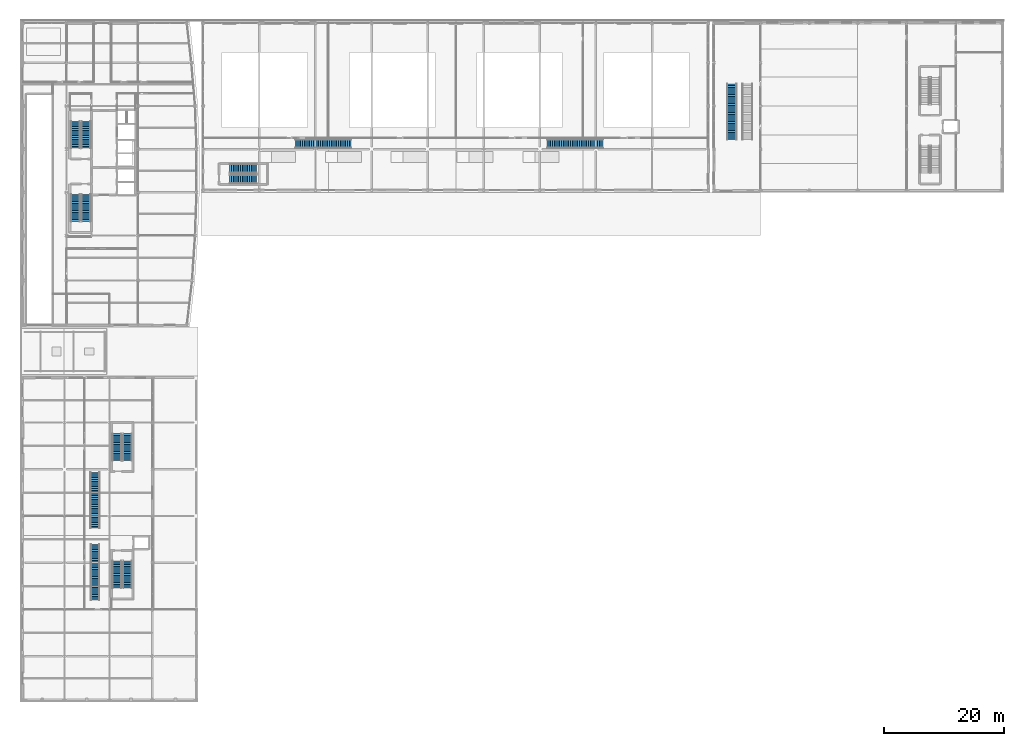
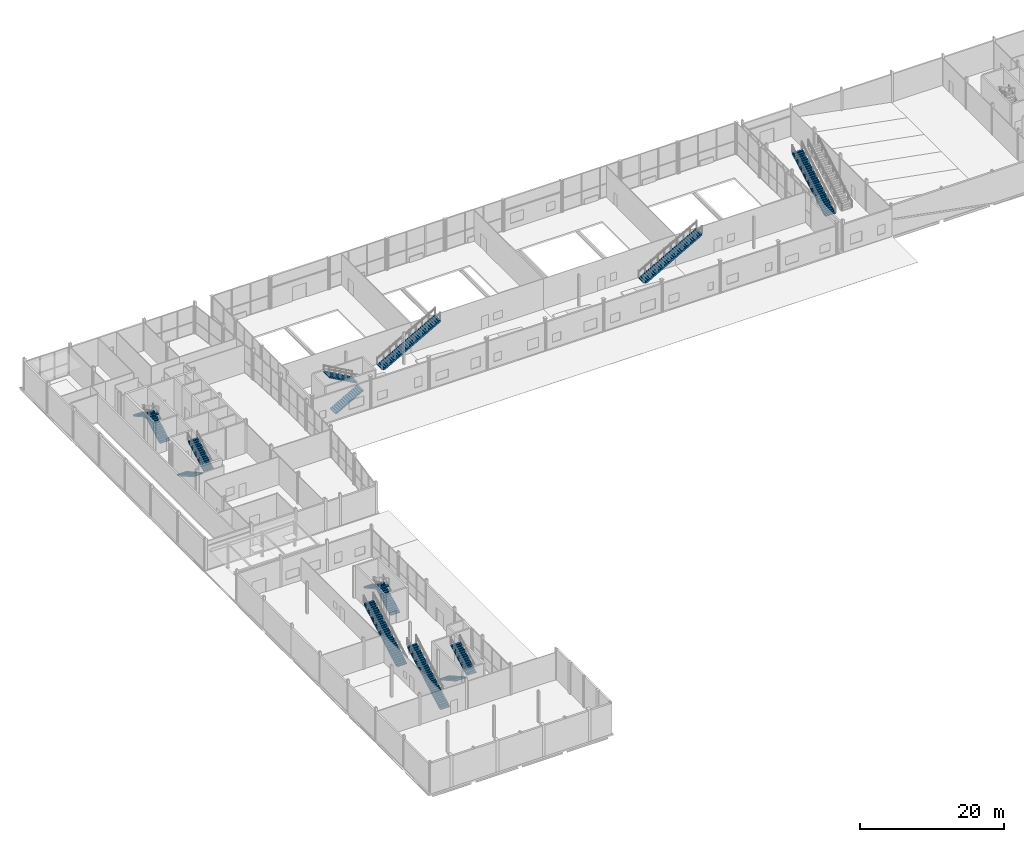
# One storey, part 73 of 83: 15 stair flights, 10 elements without a shape of their own.
"""IFC4 building model written with IfcOpenShell, lengths in metres."""

from ifc_helpers import new_model, si_unit, direction, frame, origin, place, context, subcontext, project, spatial, polyline, outline, extrude, material, type_object, element, aggregate, save


model = new_model("IFC4")

# Units and contexts
model_context = context("Model", 3, precision=1e-05, world=origin(), true_north=direction((0.0, 1.0)))
body_context = subcontext(model_context, "Body", "Model", "MODEL_VIEW")
ifc_project = project(units=[si_unit("LENGTHUNIT", "METRE"), si_unit("AREAUNIT", "SQUARE_METRE"), si_unit("VOLUMEUNIT", "CUBIC_METRE"), si_unit("PLANEANGLEUNIT", "RADIAN"), si_unit("MASSUNIT", "GRAM", prefix="KILO")], contexts=[model_context])

# Site, building, storey
site_placement = place(None, origin())
site = spatial("IfcSite", under=ifc_project, at=site_placement, CompositionType="ELEMENT")
building_placement = place(site_placement, origin())
building = spatial("IfcBuilding", under=site, at=building_placement, Name="Quillay Park Conservatory", CompositionType="ELEMENT")
storey_placement = place(building_placement, origin())
storey = spatial("IfcBuildingStorey", under=building, at=storey_placement, Name="L00", CompositionType="ELEMENT", Elevation=0.0)

# Stair, stair flight
ifc_material_1 = material(Name="Steel ASTM A992 Grade 50", Category="steel")
stair_type_1 = type_object("IfcStairType", Name="STRAIGHT FEATURE STAIR 01", PredefinedType="STRAIGHT_RUN_STAIR", material=ifc_material_1)
stair_1_placement = place(storey_placement, origin())
stair_1 = element("IfcStair", 1, at=stair_1_placement, inside=storey, type_object=stair_type_1, Name="L00 Feature Straight Stair 01", PredefinedType="STRAIGHT_RUN_STAIR")
ifc_material_2 = material(Name="Steel ASTM A992 Grade 50", Category="steel")
stair_flight_type_1 = type_object("IfcStairFlightType", Name="STRAIGHT FEATURE FLIGHT 01", PredefinedType="STRAIGHT", material=ifc_material_2)
stair_flight_1_placement = place(storey_placement, frame((46.0, 93.300048828125, 0.0), z_axis=(0.0, 0.0, 1.0), x_axis=(1.0, 0.0, 0.0)))
stair_flight_1 = element("IfcStairFlight", 2, at=stair_flight_1_placement, type_object=stair_flight_type_1, Name="ST-FT01 flight 1", NumberOfRisers=32, NumberOfTreads=31, PredefinedType="STRAIGHT", RiserHeight=0.16875, TreadLength=0.3, context=body_context, shape_type="SweptSolid", body=[
    extrude(outline(polyline([(0.0, 0.0), (0.0, 0.168701171875), (0.300048828125, 0.168701171875), (0.300048828125, 0.33740234375), (0.60009765625, 0.33740234375), (0.60009765625, 0.50634765625), (0.89990234375, 0.50634765625), (0.89990234375, 0.675048828125), (1.199951171875, 0.675048828125), (1.199951171875, 0.84375), (1.5, 0.84375), (1.5, 1.012451171875), (1.800048828125, 1.012451171875), (1.800048828125, 1.18115234375), (2.10009765625, 1.18115234375), (2.10009765625, 1.35009765625), (2.39990234375, 1.35009765625), (2.39990234375, 1.518798828125), (2.699951171875, 1.518798828125), (2.699951171875, 1.6875), (3.0, 1.6875), (3.0, 1.856201171875), (3.300048828125, 1.856201171875), (3.300048828125, 2.02490234375), (3.60009765625, 2.02490234375), (3.60009765625, 2.19384765625), (3.89990234375, 2.19384765625), (3.89990234375, 2.362548828125), (4.199951171875, 2.362548828125), (4.199951171875, 2.53125), (4.5, 2.53125), (4.5, 2.699951171875), (4.800048828125, 2.699951171875), (4.800048828125, 2.86865234375), (5.10009765625, 2.86865234375), (5.10009765625, 3.03759765625), (5.39990234375, 3.03759765625), (5.39990234375, 3.206298828125), (5.699951171875, 3.206298828125), (5.699951171875, 3.375), (6.0, 3.375), (6.0, 3.543701171875), (6.300048828125, 3.543701171875), (6.300048828125, 3.71240234375), (6.60009765625, 3.71240234375), (6.60009765625, 3.88134765625), (6.89990234375, 3.88134765625), (6.89990234375, 4.050048828125), (7.199951171875, 4.050048828125), (7.199951171875, 4.21875), (7.5, 4.21875), (7.5, 4.387451171875), (7.800048828125, 4.387451171875), (7.800048828125, 4.55615234375), (8.10009765625, 4.55615234375), (8.10009765625, 4.72509765625), (8.39990234375, 4.72509765625), (8.39990234375, 4.893798828125), (8.699951171875, 4.893798828125), (8.699951171875, 5.0625), (9.0, 5.0625), (9.0, 5.231201171875), (9.300048828125, 5.231201171875), (9.300048828125, 5.39990234375), (9.300048828125, 4.955810546875), (0.489501953125, 0.0), (0.0, 0.0)])), frame((0.0, 0.75, 0.0), z_axis=(0.0, -1.0, 0.0), x_axis=(1.0, 0.0, 0.0)), (0.0, 0.0, 1.0), 1.5),
])
aggregate(stair_1, [stair_flight_1])

ifc_material_3 = material(Name="Steel ASTM A992 Grade 50", Category="steel")
stair_type_2 = type_object("IfcStairType", Name="STRAIGHT FEATURE STAIR 02", PredefinedType="STRAIGHT_RUN_STAIR", material=ifc_material_3)
stair_2_placement = place(storey_placement, origin())
stair_2 = element("IfcStair", 3, at=stair_2_placement, inside=storey, type_object=stair_type_2, Name="L00 Feature Straight Stair 02", PredefinedType="STRAIGHT_RUN_STAIR")
ifc_material_4 = material(Name="Steel ASTM A992 Grade 50", Category="steel")
stair_flight_type_2 = type_object("IfcStairFlightType", Name="STRAIGHT FEATURE FLIGHT 02", PredefinedType="STRAIGHT", material=ifc_material_4)
stair_flight_2_placement = place(storey_placement, frame((88.0, 93.300048828125, 0.0), z_axis=(0.0, 0.0, 1.0), x_axis=(1.0, 0.0, 0.0)))
stair_flight_2 = element("IfcStairFlight", 4, at=stair_flight_2_placement, type_object=stair_flight_type_2, Name="ST-FT02 flight 1", NumberOfRisers=32, NumberOfTreads=31, PredefinedType="STRAIGHT", RiserHeight=0.16875, TreadLength=0.3, context=body_context, shape_type="SweptSolid", body=[
    extrude(outline(polyline([(0.0, 0.0), (0.0, 0.168701171875), (0.300048828125, 0.168701171875), (0.300048828125, 0.33740234375), (0.60009765625, 0.33740234375), (0.60009765625, 0.50634765625), (0.89990234375, 0.50634765625), (0.89990234375, 0.675048828125), (1.199951171875, 0.675048828125), (1.199951171875, 0.84375), (1.5, 0.84375), (1.5, 1.012451171875), (1.800048828125, 1.012451171875), (1.800048828125, 1.18115234375), (2.10009765625, 1.18115234375), (2.10009765625, 1.35009765625), (2.39990234375, 1.35009765625), (2.39990234375, 1.518798828125), (2.699951171875, 1.518798828125), (2.699951171875, 1.6875), (3.0, 1.6875), (3.0, 1.856201171875), (3.300048828125, 1.856201171875), (3.300048828125, 2.02490234375), (3.60009765625, 2.02490234375), (3.60009765625, 2.19384765625), (3.89990234375, 2.19384765625), (3.89990234375, 2.362548828125), (4.199951171875, 2.362548828125), (4.199951171875, 2.53125), (4.5, 2.53125), (4.5, 2.699951171875), (4.800048828125, 2.699951171875), (4.800048828125, 2.86865234375), (5.10009765625, 2.86865234375), (5.10009765625, 3.03759765625), (5.39990234375, 3.03759765625), (5.39990234375, 3.206298828125), (5.699951171875, 3.206298828125), (5.699951171875, 3.375), (6.0, 3.375), (6.0, 3.543701171875), (6.300048828125, 3.543701171875), (6.300048828125, 3.71240234375), (6.60009765625, 3.71240234375), (6.60009765625, 3.88134765625), (6.89990234375, 3.88134765625), (6.89990234375, 4.050048828125), (7.199951171875, 4.050048828125), (7.199951171875, 4.21875), (7.5, 4.21875), (7.5, 4.387451171875), (7.800048828125, 4.387451171875), (7.800048828125, 4.55615234375), (8.10009765625, 4.55615234375), (8.10009765625, 4.72509765625), (8.39990234375, 4.72509765625), (8.39990234375, 4.893798828125), (8.699951171875, 4.893798828125), (8.699951171875, 5.0625), (9.0, 5.0625), (9.0, 5.231201171875), (9.300048828125, 5.231201171875), (9.300048828125, 5.39990234375), (9.300048828125, 4.955810546875), (0.489501953125, 0.0), (0.0, 0.0)])), frame((0.0, 0.77490234375, 0.0), z_axis=(0.0, -1.0, 0.0), x_axis=(1.0, 0.0, 0.0)), (0.0, 0.0, 1.0), 1.550048828125),
])
aggregate(stair_2, [stair_flight_2])

ifc_material_5 = material(Name="Steel ASTM A992 Grade 50", Category="steel")
stair_type_3 = type_object("IfcStairType", Name="STRAIGHT FEATURE STAIR 03", PredefinedType="STRAIGHT_RUN_STAIR", material=ifc_material_5)
stair_3_placement = place(storey_placement, origin())
stair_3 = element("IfcStair", 5, at=stair_3_placement, inside=storey, type_object=stair_type_3, Name="L00 Feature Straight Stair 03", PredefinedType="STRAIGHT_RUN_STAIR")
ifc_material_6 = material(Name="Steel ASTM A992 Grade 50", Category="steel")
stair_flight_type_3 = type_object("IfcStairFlightType", Name="STRAIGHT FEATURE FLIGHT 03", PredefinedType="STRAIGHT", material=ifc_material_6)
stair_flight_3_placement = place(storey_placement, frame((12.60009765625, 17.199951171875, 0.0), z_axis=(0.0, 0.0, 1.0), x_axis=(0.0, 1.0, 0.0)))
stair_flight_3 = element("IfcStairFlight", 6, at=stair_flight_3_placement, type_object=stair_flight_type_3, Name="ST-FT03 flight 1", NumberOfRisers=32, NumberOfTreads=31, PredefinedType="STRAIGHT", RiserHeight=0.16875, TreadLength=0.3, context=body_context, shape_type="SweptSolid", body=[
    extrude(outline(polyline([(0.0, 0.0), (0.0, 0.168701171875), (0.300048828125, 0.168701171875), (0.300048828125, 0.33740234375), (0.60009765625, 0.33740234375), (0.60009765625, 0.50634765625), (0.89990234375, 0.50634765625), (0.89990234375, 0.675048828125), (1.199951171875, 0.675048828125), (1.199951171875, 0.84375), (1.5, 0.84375), (1.5, 1.012451171875), (1.800048828125, 1.012451171875), (1.800048828125, 1.18115234375), (2.10009765625, 1.18115234375), (2.10009765625, 1.35009765625), (2.39990234375, 1.35009765625), (2.39990234375, 1.518798828125), (2.699951171875, 1.518798828125), (2.699951171875, 1.6875), (3.0, 1.6875), (3.0, 1.856201171875), (3.300048828125, 1.856201171875), (3.300048828125, 2.02490234375), (3.60009765625, 2.02490234375), (3.60009765625, 2.19384765625), (3.89990234375, 2.19384765625), (3.89990234375, 2.362548828125), (4.199951171875, 2.362548828125), (4.199951171875, 2.53125), (4.5, 2.53125), (4.5, 2.699951171875), (4.800048828125, 2.699951171875), (4.800048828125, 2.86865234375), (5.10009765625, 2.86865234375), (5.10009765625, 3.03759765625), (5.39990234375, 3.03759765625), (5.39990234375, 3.206298828125), (5.699951171875, 3.206298828125), (5.699951171875, 3.375), (6.0, 3.375), (6.0, 3.543701171875), (6.300048828125, 3.543701171875), (6.300048828125, 3.71240234375), (6.60009765625, 3.71240234375), (6.60009765625, 3.88134765625), (6.89990234375, 3.88134765625), (6.89990234375, 4.050048828125), (7.199951171875, 4.050048828125), (7.199951171875, 4.21875), (7.5, 4.21875), (7.5, 4.387451171875), (7.800048828125, 4.387451171875), (7.800048828125, 4.55615234375), (8.10009765625, 4.55615234375), (8.10009765625, 4.72509765625), (8.39990234375, 4.72509765625), (8.39990234375, 4.893798828125), (8.699951171875, 4.893798828125), (8.699951171875, 5.0625), (9.0, 5.0625), (9.0, 5.231201171875), (9.300048828125, 5.231201171875), (9.300048828125, 5.39990234375), (9.300048828125, 4.955810546875), (0.489501953125, 0.0), (0.0, 0.0)])), frame((0.0, 0.75, 0.0), z_axis=(0.0, -1.0, 0.0), x_axis=(1.0, 0.0, 0.0)), (0.0, 0.0, 1.0), 1.5),
])
aggregate(stair_3, [stair_flight_3])

ifc_material_7 = material(Name="Steel ASTM A992 Grade 50", Category="steel")
stair_type_4 = type_object("IfcStairType", Name="STRAIGHT FEATURE STAIR 04", PredefinedType="STRAIGHT_RUN_STAIR", material=ifc_material_7)
stair_4_placement = place(storey_placement, origin())
stair_4 = element("IfcStair", 7, at=stair_4_placement, inside=storey, type_object=stair_type_4, Name="L00 Feature Straight Stair 04", PredefinedType="STRAIGHT_RUN_STAIR")
ifc_material_8 = material(Name="Steel ASTM A992 Grade 50", Category="steel")
stair_flight_type_4 = type_object("IfcStairFlightType", Name="STRAIGHT FEATURE FLIGHT 04", PredefinedType="STRAIGHT", material=ifc_material_8)
stair_flight_4_placement = place(storey_placement, frame((12.60009765625, 29.199951171875, 0.0), z_axis=(0.0, 0.0, 1.0), x_axis=(0.0, 1.0, 0.0)))
stair_flight_4 = element("IfcStairFlight", 8, at=stair_flight_4_placement, type_object=stair_flight_type_4, Name="ST-FT04 flight 1", NumberOfRisers=32, NumberOfTreads=31, PredefinedType="STRAIGHT", RiserHeight=0.16875, TreadLength=0.3, context=body_context, shape_type="SweptSolid", body=[
    extrude(outline(polyline([(0.0, 0.0), (0.0, 0.168701171875), (0.300048828125, 0.168701171875), (0.300048828125, 0.33740234375), (0.60009765625, 0.33740234375), (0.60009765625, 0.50634765625), (0.89990234375, 0.50634765625), (0.89990234375, 0.675048828125), (1.199951171875, 0.675048828125), (1.199951171875, 0.84375), (1.5, 0.84375), (1.5, 1.012451171875), (1.800048828125, 1.012451171875), (1.800048828125, 1.18115234375), (2.10009765625, 1.18115234375), (2.10009765625, 1.35009765625), (2.39990234375, 1.35009765625), (2.39990234375, 1.518798828125), (2.699951171875, 1.518798828125), (2.699951171875, 1.6875), (3.0, 1.6875), (3.0, 1.856201171875), (3.300048828125, 1.856201171875), (3.300048828125, 2.02490234375), (3.60009765625, 2.02490234375), (3.60009765625, 2.19384765625), (3.89990234375, 2.19384765625), (3.89990234375, 2.362548828125), (4.199951171875, 2.362548828125), (4.199951171875, 2.53125), (4.5, 2.53125), (4.5, 2.699951171875), (4.800048828125, 2.699951171875), (4.800048828125, 2.86865234375), (5.10009765625, 2.86865234375), (5.10009765625, 3.03759765625), (5.39990234375, 3.03759765625), (5.39990234375, 3.206298828125), (5.699951171875, 3.206298828125), (5.699951171875, 3.375), (6.0, 3.375), (6.0, 3.543701171875), (6.300048828125, 3.543701171875), (6.300048828125, 3.71240234375), (6.60009765625, 3.71240234375), (6.60009765625, 3.88134765625), (6.89990234375, 3.88134765625), (6.89990234375, 4.050048828125), (7.199951171875, 4.050048828125), (7.199951171875, 4.21875), (7.5, 4.21875), (7.5, 4.387451171875), (7.800048828125, 4.387451171875), (7.800048828125, 4.55615234375), (8.10009765625, 4.55615234375), (8.10009765625, 4.72509765625), (8.39990234375, 4.72509765625), (8.39990234375, 4.893798828125), (8.699951171875, 4.893798828125), (8.699951171875, 5.0625), (9.0, 5.0625), (9.0, 5.231201171875), (9.300048828125, 5.231201171875), (9.300048828125, 5.39990234375), (9.300048828125, 4.955810546875), (0.489501953125, 0.0), (0.0, 0.0)])), frame((0.0, 0.800048828125, 0.0), z_axis=(0.0, -1.0, 0.0), x_axis=(1.0, 0.0, 0.0)), (0.0, 0.0, 1.0), 1.60009765625),
])
aggregate(stair_4, [stair_flight_4])

ifc_material_9 = material(Name="Steel ASTM A992 Grade 50", Category="steel")
stair_type_5 = type_object("IfcStairType", Name="STRAIGHT FEATURE STAIR 05", PredefinedType="STRAIGHT_RUN_STAIR", material=ifc_material_9)
stair_5_placement = place(storey_placement, origin())
stair_5 = element("IfcStair", 9, at=stair_5_placement, inside=storey, type_object=stair_type_5, Name="L00 Feature Straight Stair 05", PredefinedType="STRAIGHT_RUN_STAIR")
ifc_material_10 = material(Name="Steel ASTM A992 Grade 50", Category="steel")
stair_flight_type_5 = type_object("IfcStairFlightType", Name="STRAIGHT FEATURE FLIGHT 05", PredefinedType="STRAIGHT", material=ifc_material_10)
stair_flight_5_placement = place(storey_placement, frame((118.800048828125, 94.0, 0.0), z_axis=(0.0, 0.0, 1.0), x_axis=(0.0, 1.0, 0.0)))
stair_flight_5 = element("IfcStairFlight", 10, at=stair_flight_5_placement, type_object=stair_flight_type_5, Name="ST-FT05 flight 1", NumberOfRisers=32, NumberOfTreads=31, PredefinedType="STRAIGHT", RiserHeight=0.16875, TreadLength=0.3, context=body_context, shape_type="SweptSolid", body=[
    extrude(outline(polyline([(0.0, 0.0), (0.0, 0.168701171875), (0.300048828125, 0.168701171875), (0.300048828125, 0.33740234375), (0.60009765625, 0.33740234375), (0.60009765625, 0.50634765625), (0.89990234375, 0.50634765625), (0.89990234375, 0.675048828125), (1.199951171875, 0.675048828125), (1.199951171875, 0.84375), (1.5, 0.84375), (1.5, 1.012451171875), (1.800048828125, 1.012451171875), (1.800048828125, 1.18115234375), (2.10009765625, 1.18115234375), (2.10009765625, 1.35009765625), (2.39990234375, 1.35009765625), (2.39990234375, 1.518798828125), (2.699951171875, 1.518798828125), (2.699951171875, 1.6875), (3.0, 1.6875), (3.0, 1.856201171875), (3.300048828125, 1.856201171875), (3.300048828125, 2.02490234375), (3.60009765625, 2.02490234375), (3.60009765625, 2.19384765625), (3.89990234375, 2.19384765625), (3.89990234375, 2.362548828125), (4.199951171875, 2.362548828125), (4.199951171875, 2.53125), (4.5, 2.53125), (4.5, 2.699951171875), (4.800048828125, 2.699951171875), (4.800048828125, 2.86865234375), (5.10009765625, 2.86865234375), (5.10009765625, 3.03759765625), (5.39990234375, 3.03759765625), (5.39990234375, 3.206298828125), (5.699951171875, 3.206298828125), (5.699951171875, 3.375), (6.0, 3.375), (6.0, 3.543701171875), (6.300048828125, 3.543701171875), (6.300048828125, 3.71240234375), (6.60009765625, 3.71240234375), (6.60009765625, 3.88134765625), (6.89990234375, 3.88134765625), (6.89990234375, 4.050048828125), (7.199951171875, 4.050048828125), (7.199951171875, 4.21875), (7.5, 4.21875), (7.5, 4.387451171875), (7.800048828125, 4.387451171875), (7.800048828125, 4.55615234375), (8.10009765625, 4.55615234375), (8.10009765625, 4.72509765625), (8.39990234375, 4.72509765625), (8.39990234375, 4.893798828125), (8.699951171875, 4.893798828125), (8.699951171875, 5.0625), (9.0, 5.0625), (9.0, 5.231201171875), (9.300048828125, 5.231201171875), (9.300048828125, 5.39990234375), (9.300048828125, 4.955810546875), (0.489501953125, 0.0), (0.0, 0.0)])), frame((0.0, 0.824951171875, 0.0), z_axis=(0.0, -1.0, 0.0), x_axis=(1.0, 0.0, 0.0)), (0.0, 0.0, 1.0), 1.64990234375),
])
aggregate(stair_5, [stair_flight_5])

# Stair, stair flights
ifc_material_11 = material(Name="Concrete C35/45 (NCh170 Concrete C35/45)", Category="concrete")
stair_type_6 = type_object("IfcStairType", Name="ENCLOSED DOG LEG STAIR 5400", PredefinedType="HALF_TURN_STAIR", material=ifc_material_11)
stair_6_placement = place(storey_placement, origin())
stair_6 = element("IfcStair", 11, at=stair_6_placement, inside=storey, type_object=stair_type_6, Name="L00 Tower Protected Exit Stair 1", PredefinedType="HALF_TURN_STAIR")
ifc_material_12 = material(Name="Concrete C35/45 (NCh170 Concrete C35/45)", Category="concrete")
stair_flight_type_6 = type_object("IfcStairFlightType", Name="STRAIGHT STAIR FLIGHT 5400", PredefinedType="STRAIGHT", material=ifc_material_12)
stair_flight_6_placement = place(storey_placement, frame((11.090087890625, 92.550048828125, 0.0), z_axis=(0.0, 0.0, 1.0), x_axis=(0.0, 1.0, 0.0)))
stair_flight_6 = element("IfcStairFlight", 12, at=stair_flight_6_placement, type_object=stair_flight_type_6, Name="ST-T1 flight 1", NumberOfRisers=16, NumberOfTreads=15, PredefinedType="STRAIGHT", RiserHeight=0.16875, TreadLength=0.3, context=body_context, shape_type="SweptSolid", body=[
    extrude(outline(polyline([(0.0, 0.0), (0.0, 0.168701171875), (0.300048828125, 0.168701171875), (0.300048828125, 0.33740234375), (0.60009765625, 0.33740234375), (0.60009765625, 0.50634765625), (0.89990234375, 0.50634765625), (0.89990234375, 0.675048828125), (1.199951171875, 0.675048828125), (1.199951171875, 0.84375), (1.5, 0.84375), (1.5, 1.012451171875), (1.800048828125, 1.012451171875), (1.800048828125, 1.18115234375), (2.10009765625, 1.18115234375), (2.10009765625, 1.35009765625), (2.39990234375, 1.35009765625), (2.39990234375, 1.518798828125), (2.699951171875, 1.518798828125), (2.699951171875, 1.6875), (3.0, 1.6875), (3.0, 1.856201171875), (3.300048828125, 1.856201171875), (3.300048828125, 2.02490234375), (3.60009765625, 2.02490234375), (3.60009765625, 2.19384765625), (3.89990234375, 2.19384765625), (3.89990234375, 2.362548828125), (4.199951171875, 2.362548828125), (4.199951171875, 2.53125), (4.5, 2.53125), (4.5, 2.699951171875), (4.5, 2.359375), (0.3056640625, 0.0), (0.0, 0.0)])), frame((0.0, 0.780029296875, 0.0), z_axis=(0.0, -1.0, 0.0), x_axis=(1.0, 0.0, 0.0)), (0.0, 0.0, 1.0), 1.56005859375),
])
stair_flight_7_placement = place(storey_placement, frame((9.330078125, 97.050048828125, 2.699951171875), z_axis=(0.0, 0.0, 1.0), x_axis=(0.0, -1.0, 0.0)))
stair_flight_7 = element("IfcStairFlight", 13, at=stair_flight_7_placement, type_object=stair_flight_type_6, Name="ST-T1 flight 2", NumberOfRisers=16, NumberOfTreads=15, PredefinedType="STRAIGHT", RiserHeight=0.16875, TreadLength=0.3, context=body_context, shape_type="SweptSolid", body=[
    extrude(outline(polyline([(0.0, 0.0), (0.0, 0.168701171875), (0.300048828125, 0.168701171875), (0.300048828125, 0.33740234375), (0.60009765625, 0.33740234375), (0.60009765625, 0.50634765625), (0.89990234375, 0.50634765625), (0.89990234375, 0.675048828125), (1.199951171875, 0.675048828125), (1.199951171875, 0.84375), (1.5, 0.84375), (1.5, 1.012451171875), (1.800048828125, 1.012451171875), (1.800048828125, 1.18115234375), (2.10009765625, 1.18115234375), (2.10009765625, 1.35009765625), (2.39990234375, 1.35009765625), (2.39990234375, 1.518798828125), (2.699951171875, 1.518798828125), (2.699951171875, 1.6875), (3.0, 1.6875), (3.0, 1.856201171875), (3.300048828125, 1.856201171875), (3.300048828125, 2.02490234375), (3.60009765625, 2.02490234375), (3.60009765625, 2.19384765625), (3.89990234375, 2.19384765625), (3.89990234375, 2.362548828125), (4.199951171875, 2.362548828125), (4.199951171875, 2.53125), (4.5, 2.53125), (4.5, 2.699951171875), (4.5, 2.359375), (0.3056640625, 0.0), (0.0, 0.0)])), frame((0.0, 0.780029296875, 0.0), z_axis=(0.0, -1.0, 0.0), x_axis=(1.0, 0.0, 0.0)), (0.0, 0.0, 1.0), 1.56005859375),
])
aggregate(stair_6, [stair_flight_6, stair_flight_7])

stair_7_placement = place(storey_placement, origin())
stair_7 = element("IfcStair", 14, at=stair_7_placement, inside=storey, type_object=stair_type_6, Name="L00 Tower Protected Exit Stair 2", PredefinedType="HALF_TURN_STAIR")
stair_flight_8_placement = place(storey_placement, frame((9.330078125, 84.85009765625, 0.0), z_axis=(0.0, 0.0, 1.0), x_axis=(0.0, -1.0, 0.0)))
stair_flight_8 = element("IfcStairFlight", 15, at=stair_flight_8_placement, type_object=stair_flight_type_6, Name="ST-T2 flight 1", NumberOfRisers=16, NumberOfTreads=15, PredefinedType="STRAIGHT", RiserHeight=0.16875, TreadLength=0.3, context=body_context, shape_type="SweptSolid", body=[
    extrude(outline(polyline([(0.0, 0.0), (0.0, 0.168701171875), (0.300048828125, 0.168701171875), (0.300048828125, 0.33740234375), (0.60009765625, 0.33740234375), (0.60009765625, 0.50634765625), (0.89990234375, 0.50634765625), (0.89990234375, 0.675048828125), (1.199951171875, 0.675048828125), (1.199951171875, 0.84375), (1.5, 0.84375), (1.5, 1.012451171875), (1.800048828125, 1.012451171875), (1.800048828125, 1.18115234375), (2.10009765625, 1.18115234375), (2.10009765625, 1.35009765625), (2.39990234375, 1.35009765625), (2.39990234375, 1.518798828125), (2.699951171875, 1.518798828125), (2.699951171875, 1.6875), (3.0, 1.6875), (3.0, 1.856201171875), (3.300048828125, 1.856201171875), (3.300048828125, 2.02490234375), (3.60009765625, 2.02490234375), (3.60009765625, 2.19384765625), (3.89990234375, 2.19384765625), (3.89990234375, 2.362548828125), (4.199951171875, 2.362548828125), (4.199951171875, 2.53125), (4.5, 2.53125), (4.5, 2.699951171875), (4.5, 2.359375), (0.3056640625, 0.0), (0.0, 0.0)])), frame((0.0, 0.780029296875, 0.0), z_axis=(0.0, -1.0, 0.0), x_axis=(1.0, 0.0, 0.0)), (0.0, 0.0, 1.0), 1.56005859375),
])
stair_flight_9_placement = place(storey_placement, frame((11.090087890625, 80.35009765625, 2.699951171875), z_axis=(0.0, 0.0, 1.0), x_axis=(0.0, 1.0, 0.0)))
stair_flight_9 = element("IfcStairFlight", 16, at=stair_flight_9_placement, type_object=stair_flight_type_6, Name="ST-T2 flight 2", NumberOfRisers=16, NumberOfTreads=15, PredefinedType="STRAIGHT", RiserHeight=0.16875, TreadLength=0.3, context=body_context, shape_type="SweptSolid", body=[
    extrude(outline(polyline([(0.0, 0.0), (0.0, 0.168701171875), (0.300048828125, 0.168701171875), (0.300048828125, 0.33740234375), (0.60009765625, 0.33740234375), (0.60009765625, 0.50634765625), (0.89990234375, 0.50634765625), (0.89990234375, 0.675048828125), (1.199951171875, 0.675048828125), (1.199951171875, 0.84375), (1.5, 0.84375), (1.5, 1.012451171875), (1.800048828125, 1.012451171875), (1.800048828125, 1.18115234375), (2.10009765625, 1.18115234375), (2.10009765625, 1.35009765625), (2.39990234375, 1.35009765625), (2.39990234375, 1.518798828125), (2.699951171875, 1.518798828125), (2.699951171875, 1.6875), (3.0, 1.6875), (3.0, 1.856201171875), (3.300048828125, 1.856201171875), (3.300048828125, 2.02490234375), (3.60009765625, 2.02490234375), (3.60009765625, 2.19384765625), (3.89990234375, 2.19384765625), (3.89990234375, 2.362548828125), (4.199951171875, 2.362548828125), (4.199951171875, 2.53125), (4.5, 2.53125), (4.5, 2.699951171875), (4.5, 2.359375), (0.3056640625, 0.0), (0.0, 0.0)])), frame((0.0, 0.780029296875, 0.0), z_axis=(0.0, -1.0, 0.0), x_axis=(1.0, 0.0, 0.0)), (0.0, 0.0, 1.0), 1.56005859375),
])
aggregate(stair_7, [stair_flight_8, stair_flight_9])

stair_8_placement = place(storey_placement, origin())
stair_8 = element("IfcStair", 17, at=stair_8_placement, inside=storey, type_object=stair_type_6, Name="L00 Visitor Centre Exit Stair 1", PredefinedType="HALF_TURN_STAIR")
stair_flight_10_placement = place(storey_placement, frame((16.22998046875, 23.699951171875, 0.0), z_axis=(0.0, 0.0, 1.0), x_axis=(0.0, -1.0, 0.0)))
stair_flight_10 = element("IfcStairFlight", 18, at=stair_flight_10_placement, type_object=stair_flight_type_6, Name="ST-V1 flight 1", NumberOfRisers=16, NumberOfTreads=15, PredefinedType="STRAIGHT", RiserHeight=0.16875, TreadLength=0.3, context=body_context, shape_type="SweptSolid", body=[
    extrude(outline(polyline([(0.0, 0.0), (0.0, 0.168701171875), (0.300048828125, 0.168701171875), (0.300048828125, 0.33740234375), (0.60009765625, 0.33740234375), (0.60009765625, 0.50634765625), (0.89990234375, 0.50634765625), (0.89990234375, 0.675048828125), (1.199951171875, 0.675048828125), (1.199951171875, 0.84375), (1.5, 0.84375), (1.5, 1.012451171875), (1.800048828125, 1.012451171875), (1.800048828125, 1.18115234375), (2.10009765625, 1.18115234375), (2.10009765625, 1.35009765625), (2.39990234375, 1.35009765625), (2.39990234375, 1.518798828125), (2.699951171875, 1.518798828125), (2.699951171875, 1.6875), (3.0, 1.6875), (3.0, 1.856201171875), (3.300048828125, 1.856201171875), (3.300048828125, 2.02490234375), (3.60009765625, 2.02490234375), (3.60009765625, 2.19384765625), (3.89990234375, 2.19384765625), (3.89990234375, 2.362548828125), (4.199951171875, 2.362548828125), (4.199951171875, 2.53125), (4.5, 2.53125), (4.5, 2.699951171875), (4.5, 2.359375), (0.3056640625, 0.0), (0.0, 0.0)])), frame((0.0, 0.780029296875, 0.0), z_axis=(0.0, -1.0, 0.0), x_axis=(1.0, 0.0, 0.0)), (0.0, 0.0, 1.0), 1.56005859375),
])
stair_flight_11_placement = place(storey_placement, frame((17.989990234375, 19.199951171875, 2.699951171875), z_axis=(0.0, 0.0, 1.0), x_axis=(0.0, 1.0, 0.0)))
stair_flight_11 = element("IfcStairFlight", 19, at=stair_flight_11_placement, type_object=stair_flight_type_6, Name="ST-V1 flight 2", NumberOfRisers=16, NumberOfTreads=15, PredefinedType="STRAIGHT", RiserHeight=0.16875, TreadLength=0.3, context=body_context, shape_type="SweptSolid", body=[
    extrude(outline(polyline([(0.0, 0.0), (0.0, 0.168701171875), (0.300048828125, 0.168701171875), (0.300048828125, 0.33740234375), (0.60009765625, 0.33740234375), (0.60009765625, 0.50634765625), (0.89990234375, 0.50634765625), (0.89990234375, 0.675048828125), (1.199951171875, 0.675048828125), (1.199951171875, 0.84375), (1.5, 0.84375), (1.5, 1.012451171875), (1.800048828125, 1.012451171875), (1.800048828125, 1.18115234375), (2.10009765625, 1.18115234375), (2.10009765625, 1.35009765625), (2.39990234375, 1.35009765625), (2.39990234375, 1.518798828125), (2.699951171875, 1.518798828125), (2.699951171875, 1.6875), (3.0, 1.6875), (3.0, 1.856201171875), (3.300048828125, 1.856201171875), (3.300048828125, 2.02490234375), (3.60009765625, 2.02490234375), (3.60009765625, 2.19384765625), (3.89990234375, 2.19384765625), (3.89990234375, 2.362548828125), (4.199951171875, 2.362548828125), (4.199951171875, 2.53125), (4.5, 2.53125), (4.5, 2.699951171875), (4.5, 2.359375), (0.3056640625, 0.0), (0.0, 0.0)])), frame((0.0, 0.780029296875, 0.0), z_axis=(0.0, -1.0, 0.0), x_axis=(1.0, 0.0, 0.0)), (0.0, 0.0, 1.0), 1.56005859375),
])
aggregate(stair_8, [stair_flight_10, stair_flight_11])

stair_9_placement = place(storey_placement, origin())
stair_9 = element("IfcStair", 20, at=stair_9_placement, inside=storey, type_object=stair_type_6, Name="L00 Visitor Centre Exit Stair 2", PredefinedType="HALF_TURN_STAIR")
stair_flight_12_placement = place(storey_placement, frame((17.989990234375, 40.449951171875, 0.0), z_axis=(0.0, 0.0, 1.0), x_axis=(0.0, 1.0, 0.0)))
stair_flight_12 = element("IfcStairFlight", 21, at=stair_flight_12_placement, type_object=stair_flight_type_6, Name="ST-V2 flight 1", NumberOfRisers=16, NumberOfTreads=15, PredefinedType="STRAIGHT", RiserHeight=0.16875, TreadLength=0.3, context=body_context, shape_type="SweptSolid", body=[
    extrude(outline(polyline([(0.0, 0.0), (0.0, 0.168701171875), (0.300048828125, 0.168701171875), (0.300048828125, 0.33740234375), (0.60009765625, 0.33740234375), (0.60009765625, 0.50634765625), (0.89990234375, 0.50634765625), (0.89990234375, 0.675048828125), (1.199951171875, 0.675048828125), (1.199951171875, 0.84375), (1.5, 0.84375), (1.5, 1.012451171875), (1.800048828125, 1.012451171875), (1.800048828125, 1.18115234375), (2.10009765625, 1.18115234375), (2.10009765625, 1.35009765625), (2.39990234375, 1.35009765625), (2.39990234375, 1.518798828125), (2.699951171875, 1.518798828125), (2.699951171875, 1.6875), (3.0, 1.6875), (3.0, 1.856201171875), (3.300048828125, 1.856201171875), (3.300048828125, 2.02490234375), (3.60009765625, 2.02490234375), (3.60009765625, 2.19384765625), (3.89990234375, 2.19384765625), (3.89990234375, 2.362548828125), (4.199951171875, 2.362548828125), (4.199951171875, 2.53125), (4.5, 2.53125), (4.5, 2.699951171875), (4.5, 2.359375), (0.3056640625, 0.0), (0.0, 0.0)])), frame((0.0, 0.780029296875, 0.0), z_axis=(0.0, -1.0, 0.0), x_axis=(1.0, 0.0, 0.0)), (0.0, 0.0, 1.0), 1.56005859375),
])
stair_flight_13_placement = place(storey_placement, frame((16.22998046875, 44.949951171875, 2.699951171875), z_axis=(0.0, 0.0, 1.0), x_axis=(0.0, -1.0, 0.0)))
stair_flight_13 = element("IfcStairFlight", 22, at=stair_flight_13_placement, type_object=stair_flight_type_6, Name="ST-V2 flight 2", NumberOfRisers=16, NumberOfTreads=15, PredefinedType="STRAIGHT", RiserHeight=0.16875, TreadLength=0.3, context=body_context, shape_type="SweptSolid", body=[
    extrude(outline(polyline([(0.0, 0.0), (0.0, 0.168701171875), (0.300048828125, 0.168701171875), (0.300048828125, 0.33740234375), (0.60009765625, 0.33740234375), (0.60009765625, 0.50634765625), (0.89990234375, 0.50634765625), (0.89990234375, 0.675048828125), (1.199951171875, 0.675048828125), (1.199951171875, 0.84375), (1.5, 0.84375), (1.5, 1.012451171875), (1.800048828125, 1.012451171875), (1.800048828125, 1.18115234375), (2.10009765625, 1.18115234375), (2.10009765625, 1.35009765625), (2.39990234375, 1.35009765625), (2.39990234375, 1.518798828125), (2.699951171875, 1.518798828125), (2.699951171875, 1.6875), (3.0, 1.6875), (3.0, 1.856201171875), (3.300048828125, 1.856201171875), (3.300048828125, 2.02490234375), (3.60009765625, 2.02490234375), (3.60009765625, 2.19384765625), (3.89990234375, 2.19384765625), (3.89990234375, 2.362548828125), (4.199951171875, 2.362548828125), (4.199951171875, 2.53125), (4.5, 2.53125), (4.5, 2.699951171875), (4.5, 2.359375), (0.3056640625, 0.0), (0.0, 0.0)])), frame((0.0, 0.780029296875, 0.0), z_axis=(0.0, -1.0, 0.0), x_axis=(1.0, 0.0, 0.0)), (0.0, 0.0, 1.0), 1.56005859375),
])
aggregate(stair_9, [stair_flight_12, stair_flight_13])

stair_10_placement = place(storey_placement, origin())
stair_10 = element("IfcStair", 23, at=stair_10_placement, inside=storey, type_object=stair_type_6, Name="L00 Conservatory Canopy Stair 1", PredefinedType="HALF_TURN_STAIR")
stair_flight_14_placement = place(storey_placement, frame((35.050048828125, 87.3798828125, 0.0), z_axis=(0.0, 0.0, 1.0), x_axis=(1.0, 0.0, 0.0)))
stair_flight_14 = element("IfcStairFlight", 24, at=stair_flight_14_placement, type_object=stair_flight_type_6, Name="ST-C1 flight 1", NumberOfRisers=16, NumberOfTreads=15, PredefinedType="STRAIGHT", RiserHeight=0.16875, TreadLength=0.3, context=body_context, shape_type="SweptSolid", body=[
    extrude(outline(polyline([(0.0, 0.0), (0.0, 0.168701171875), (0.300048828125, 0.168701171875), (0.300048828125, 0.33740234375), (0.60009765625, 0.33740234375), (0.60009765625, 0.50634765625), (0.89990234375, 0.50634765625), (0.89990234375, 0.675048828125), (1.199951171875, 0.675048828125), (1.199951171875, 0.84375), (1.5, 0.84375), (1.5, 1.012451171875), (1.800048828125, 1.012451171875), (1.800048828125, 1.18115234375), (2.10009765625, 1.18115234375), (2.10009765625, 1.35009765625), (2.39990234375, 1.35009765625), (2.39990234375, 1.518798828125), (2.699951171875, 1.518798828125), (2.699951171875, 1.6875), (3.0, 1.6875), (3.0, 1.856201171875), (3.300048828125, 1.856201171875), (3.300048828125, 2.02490234375), (3.60009765625, 2.02490234375), (3.60009765625, 2.19384765625), (3.89990234375, 2.19384765625), (3.89990234375, 2.362548828125), (4.199951171875, 2.362548828125), (4.199951171875, 2.53125), (4.5, 2.53125), (4.5, 2.699951171875), (4.5, 2.359375), (0.3056640625, 0.0), (0.0, 0.0)])), frame((0.0, 0.780029296875, 0.0), z_axis=(0.0, -1.0, 0.0), x_axis=(1.0, 0.0, 0.0)), (0.0, 0.0, 1.0), 1.56005859375),
])
stair_flight_15_placement = place(storey_placement, frame((39.550048828125, 89.139892578125, 2.699951171875), z_axis=(0.0, 0.0, 1.0), x_axis=(-1.0, 0.0, 0.0)))
stair_flight_15 = element("IfcStairFlight", 25, at=stair_flight_15_placement, type_object=stair_flight_type_6, Name="ST-C1 flight 2", NumberOfRisers=16, NumberOfTreads=15, PredefinedType="STRAIGHT", RiserHeight=0.16875, TreadLength=0.3, context=body_context, shape_type="SweptSolid", body=[
    extrude(outline(polyline([(0.0, 0.0), (0.0, 0.168701171875), (0.300048828125, 0.168701171875), (0.300048828125, 0.33740234375), (0.60009765625, 0.33740234375), (0.60009765625, 0.50634765625), (0.89990234375, 0.50634765625), (0.89990234375, 0.675048828125), (1.199951171875, 0.675048828125), (1.199951171875, 0.84375), (1.5, 0.84375), (1.5, 1.012451171875), (1.800048828125, 1.012451171875), (1.800048828125, 1.18115234375), (2.10009765625, 1.18115234375), (2.10009765625, 1.35009765625), (2.39990234375, 1.35009765625), (2.39990234375, 1.518798828125), (2.699951171875, 1.518798828125), (2.699951171875, 1.6875), (3.0, 1.6875), (3.0, 1.856201171875), (3.300048828125, 1.856201171875), (3.300048828125, 2.02490234375), (3.60009765625, 2.02490234375), (3.60009765625, 2.19384765625), (3.89990234375, 2.19384765625), (3.89990234375, 2.362548828125), (4.199951171875, 2.362548828125), (4.199951171875, 2.53125), (4.5, 2.53125), (4.5, 2.699951171875), (4.5, 2.359375), (0.3056640625, 0.0), (0.0, 0.0)])), frame((0.0, 0.780029296875, 0.0), z_axis=(0.0, -1.0, 0.0), x_axis=(1.0, 0.0, 0.0)), (0.0, 0.0, 1.0), 1.56005859375),
])
aggregate(stair_10, [stair_flight_14, stair_flight_15])

save(model, "model.ifc")
